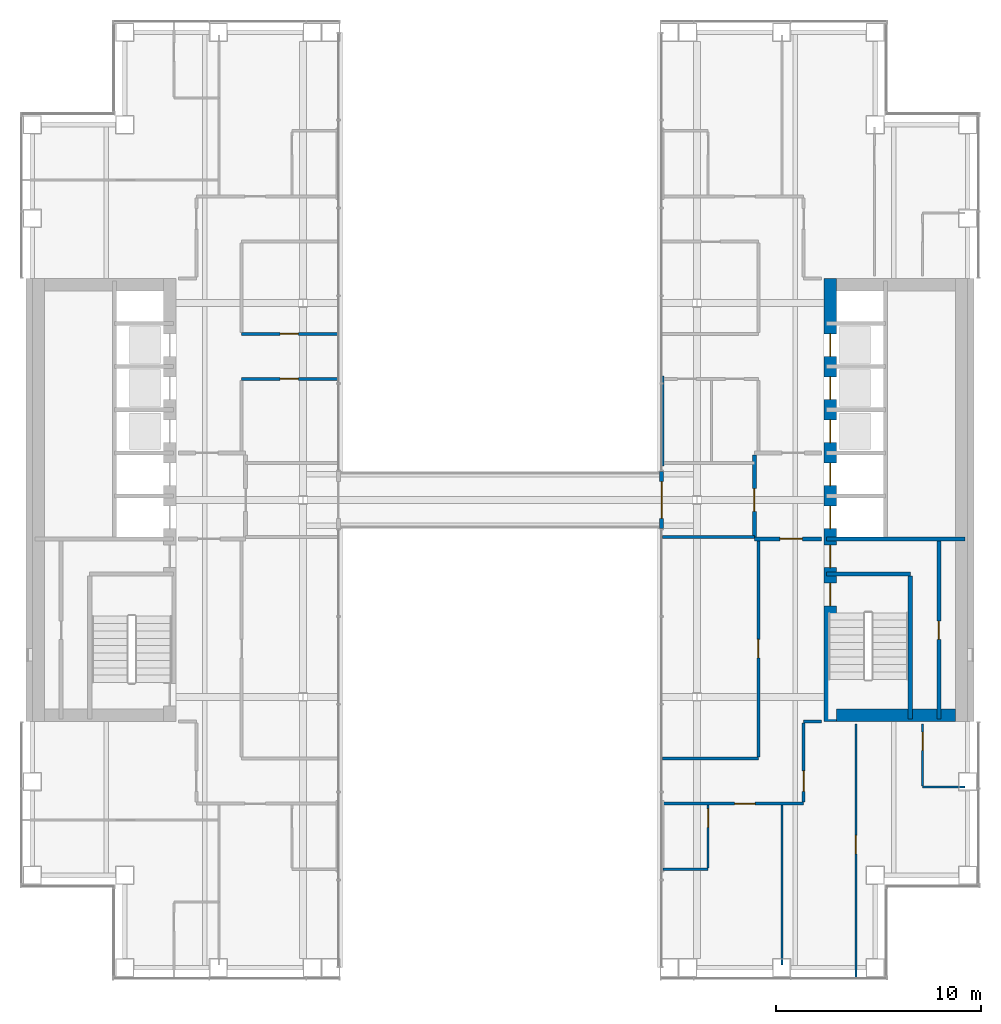
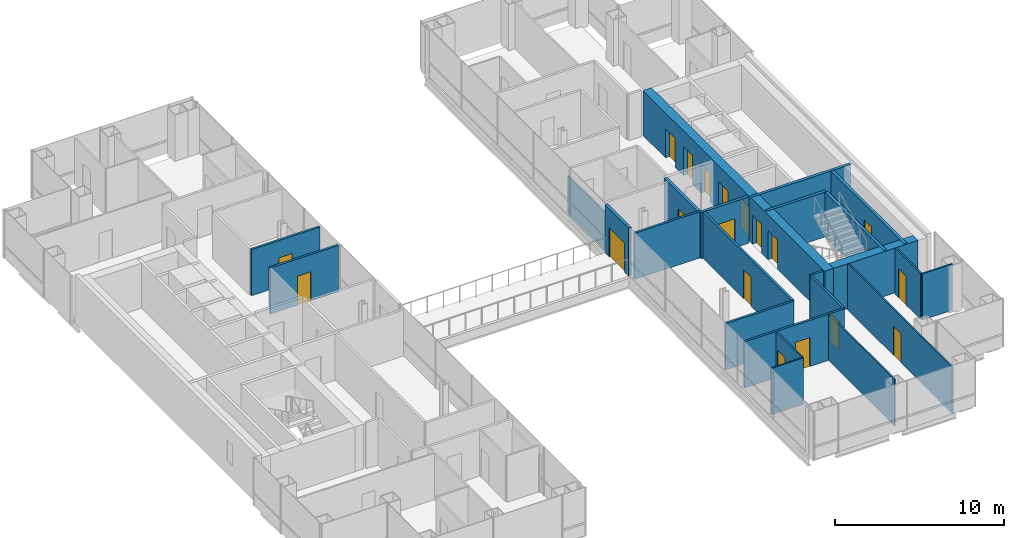
# One storey, part 12 of 16: 24 walls, 19 doors, 19 openings.
"""IFC4 building model written with IfcOpenShell, lengths in metres."""

from ifc_helpers import new_model, si_unit, direction, frame, frame_2d, origin, place, context, subcontext, project, spatial, rectangle, extrude, material, layer, layer_set, type_object, element, fill, save


model = new_model("IFC4")

# Units and contexts
model_context = context("Model", 3, precision=1e-05, world=origin(), true_north=direction((0.0, 1.0)))
body_context = subcontext(model_context, "Body", "Model", "MODEL_VIEW")
ifc_project = project(units=[si_unit("LENGTHUNIT", "METRE"), si_unit("AREAUNIT", "SQUARE_METRE"), si_unit("VOLUMEUNIT", "CUBIC_METRE"), si_unit("PLANEANGLEUNIT", "RADIAN"), si_unit("MASSUNIT", "GRAM", prefix="KILO")], contexts=[model_context])

# Site, building, storey
site_placement = place(None, origin())
site = spatial("IfcSite", under=ifc_project, at=site_placement, CompositionType="ELEMENT")
building_placement = place(site_placement, origin())
building = spatial("IfcBuilding", under=site, at=building_placement, Name="Cobrizo Arcos Hotel Tower", CompositionType="ELEMENT")
storey_placement = place(building_placement, frame((0.0, 0.0, 120.5)))
storey = spatial("IfcBuildingStorey", under=building, at=storey_placement, Name="L30", CompositionType="ELEMENT", Elevation=120.5)

# Wall, opening, door
ifc_material_1 = material(Name="Gypsum board partition")
ifc_layer_1 = layer(ifc_material_1, 0.14990234375)
ifc_layer_set_1 = layer_set([ifc_layer_1], Name="Corridor wall EI 60 150")
wall_type_1 = type_object("IfcWallType", Name="Corridor wall EI 60 150", PredefinedType="PARTITIONING", material=ifc_layer_set_1)
wall_1_placement = place(storey_placement, frame((7.949951171875, -14.800048828125, 0.0), z_axis=(0.0, 0.0, 1.0), x_axis=(1.0, 0.0, 0.0)))
wall_1 = element("IfcWall", 1, at=wall_1_placement, inside=storey, type_object=wall_type_1, Name="Partition 006", PredefinedType="PARTITIONING", context=body_context, shape_type="SweptSolid", body=[
    extrude(rectangle(XDim=6.85009765625, YDim=0.14990234375, at=frame_2d((3.425048828125, 0.0))), origin(), (0.0, 0.0, 1.0), 3.35009765625),
])
opening_1_placement = place(wall_1_placement, frame((3.487060546875, 0.0, 0.0)))
opening_1 = element("IfcOpeningElement", 2, at=opening_1_placement, cuts=wall_1, Name="Opening GD-03", PredefinedType="OPENING", context=body_context, shape_type="SweptSolid", body=[
    extrude(rectangle(XDim=1.0, YDim=2.10009765625, at=frame_2d((0.5, 1.050048828125))), frame((0.0, 0.0869140625, 0.0), z_axis=(0.0, -1.0, 0.0), x_axis=(1.0, 0.0, 0.0)), (0.0, 0.0, 1.0), 0.173828125),
])
ifc_material_2 = material(Name="Timber door leaf", Category="wood")
door_type_1 = type_object("IfcDoorType", Name="Guest room door FD30S 1000x2100", OperationType="SINGLE_SWING_LEFT", PredefinedType="DOOR", material=ifc_material_2)
door_1_placement = place(opening_1_placement, origin())
door_1 = element("IfcDoor", 3, at=door_1_placement, inside=storey, type_object=door_type_1, Name="Door GD-03", OperationType="SINGLE_SWING_RIGHT", OverallHeight=2.10009765625, OverallWidth=1.0, PredefinedType="DOOR", context=body_context, shape_type="SweptSolid", body=[
    extrude(rectangle(XDim=1.0, YDim=2.10009765625, at=frame_2d((0.5, 1.050048828125))), frame((0.0, 0.02490234375, 0.0), z_axis=(0.0, -1.0, 0.0), x_axis=(1.0, 0.0, 0.0)), (0.0, 0.0, 1.0), 0.050048828125),
])
fill(opening_1, door_1)

# Walls
wall_2_placement = place(storey_placement, frame((7.919921875, -12.60009765625, 0.0), z_axis=(0.0, 0.0, 1.0), x_axis=(1.0, 0.0, 0.0)))
element("IfcWall", 4, at=wall_2_placement, inside=storey, type_object=wall_type_1, Name="Partition 009", PredefinedType="PARTITIONING", context=body_context, shape_type="SweptSolid", body=[
    extrude(rectangle(XDim=4.68017578125, YDim=0.14990234375, at=frame_2d((2.340087890625, 0.0))), origin(), (0.0, 0.0, 1.0), 3.35009765625),
])
wall_3_placement = place(storey_placement, frame((14.800048828125, -10.800048828125, 0.0), z_axis=(0.0, 0.0, 1.0), x_axis=(1.0, 0.0, 0.0)))
element("IfcWall", 5, at=wall_3_placement, inside=storey, type_object=wall_type_1, Name="Partition 011", PredefinedType="PARTITIONING", context=body_context, shape_type="SweptSolid", body=[
    extrude(rectangle(XDim=0.8798828125, YDim=0.14990234375, at=frame_2d((0.43994140625, 0.0))), origin(), (0.0, 0.0, 1.0), 3.35009765625),
])
wall_4_placement = place(storey_placement, frame((7.919921875, -1.800048828125, 0.0), z_axis=(0.0, 0.0, 1.0), x_axis=(1.0, 0.0, 0.0)))
element("IfcWall", 6, at=wall_4_placement, inside=storey, type_object=wall_type_1, Name="Partition 019", PredefinedType="PARTITIONING", context=body_context, shape_type="SweptSolid", body=[
    extrude(rectangle(XDim=4.47998046875, YDim=0.14990234375, at=frame_2d((2.239990234375, 0.0))), origin(), (0.0, 0.0, 1.0), 3.35009765625),
])

# Wall, opening, door
wall_5_placement = place(storey_placement, frame((-12.60009765625, 5.89990234375, 0.0), z_axis=(0.0, 0.0, 1.0), x_axis=(1.0, 0.0, 0.0)))
wall_5 = element("IfcWall", 7, at=wall_5_placement, inside=storey, type_object=wall_type_1, Name="Partition 030", PredefinedType="PARTITIONING", context=body_context, shape_type="SweptSolid", body=[
    extrude(rectangle(XDim=4.68017578125, YDim=0.14990234375, at=frame_2d((2.340087890625, 0.0))), origin(), (0.0, 0.0, 1.0), 3.35009765625),
])
opening_2_placement = place(wall_5_placement, frame((1.875, 0.0, 0.0)))
opening_2 = element("IfcOpeningElement", 8, at=opening_2_placement, cuts=wall_5, Name="Opening RD-06", PredefinedType="OPENING", context=body_context, shape_type="SweptSolid", body=[
    extrude(rectangle(XDim=0.89990234375, YDim=2.10009765625, at=frame_2d((0.449951171875, 1.050048828125))), frame((0.0, 0.0869140625, 0.0), z_axis=(0.0, -1.0, 0.0), x_axis=(1.0, 0.0, 0.0)), (0.0, 0.0, 1.0), 0.173828125),
])
door_type_2 = type_object("IfcDoorType", Name="Room door FD30 900x2100", OperationType="SINGLE_SWING_LEFT", PredefinedType="DOOR", material=ifc_material_2)
door_2_placement = place(opening_2_placement, origin())
door_2 = element("IfcDoor", 9, at=door_2_placement, inside=storey, type_object=door_type_2, Name="Door RD-06", OperationType="SINGLE_SWING_LEFT", OverallHeight=2.10009765625, OverallWidth=0.89990234375, PredefinedType="DOOR", context=body_context, shape_type="SweptSolid", body=[
    extrude(rectangle(XDim=0.89990234375, YDim=2.10009765625, at=frame_2d((0.449951171875, 1.050048828125))), frame((0.0, 0.02490234375, 0.0), z_axis=(0.0, -1.0, 0.0), x_axis=(1.0, 0.0, 0.0)), (0.0, 0.0, 1.0), 0.050048828125),
])
fill(opening_2, door_2)

wall_6_placement = place(storey_placement, frame((-12.60009765625, 8.10009765625, 0.0), z_axis=(0.0, 0.0, 1.0), x_axis=(1.0, 0.0, 0.0)))
wall_6 = element("IfcWall", 10, at=wall_6_placement, inside=storey, type_object=wall_type_1, Name="Partition 034", PredefinedType="PARTITIONING", context=body_context, shape_type="SweptSolid", body=[
    extrude(rectangle(XDim=4.68017578125, YDim=0.14990234375, at=frame_2d((2.340087890625, 0.0))), origin(), (0.0, 0.0, 1.0), 3.35009765625),
])
opening_3_placement = place(wall_6_placement, frame((1.875, 0.0, 0.0)))
opening_3 = element("IfcOpeningElement", 11, at=opening_3_placement, cuts=wall_6, Name="Opening RD-08", PredefinedType="OPENING", context=body_context, shape_type="SweptSolid", body=[
    extrude(rectangle(XDim=0.89990234375, YDim=2.10009765625, at=frame_2d((0.449951171875, 1.050048828125))), frame((0.0, 0.0869140625, 0.0), z_axis=(0.0, -1.0, 0.0), x_axis=(1.0, 0.0, 0.0)), (0.0, 0.0, 1.0), 0.173828125),
])
door_3_placement = place(opening_3_placement, origin())
door_3 = element("IfcDoor", 12, at=door_3_placement, inside=storey, type_object=door_type_2, Name="Door RD-08", OperationType="SINGLE_SWING_RIGHT", OverallHeight=2.10009765625, OverallWidth=0.89990234375, PredefinedType="DOOR", context=body_context, shape_type="SweptSolid", body=[
    extrude(rectangle(XDim=0.89990234375, YDim=2.10009765625, at=frame_2d((0.449951171875, 1.050048828125))), frame((0.0, 0.02490234375, 0.0), z_axis=(0.0, -1.0, 0.0), x_axis=(1.0, 0.0, 0.0)), (0.0, 0.0, 1.0), 0.050048828125),
])
fill(opening_3, door_3)

wall_7_placement = place(storey_placement, frame((12.60009765625, -12.52490234375, 0.0), z_axis=(0.0, 0.0, 1.0), x_axis=(0.0, 1.0, 0.0)))
wall_7 = element("IfcWall", 13, at=wall_7_placement, inside=storey, type_object=wall_type_1, Name="Partition 073", PredefinedType="PARTITIONING", context=body_context, shape_type="SweptSolid", body=[
    extrude(rectangle(XDim=10.52490234375, YDim=0.14990234375, at=frame_2d((5.262451171875, 0.0))), origin(), (0.0, 0.0, 1.0), 3.35009765625),
])
opening_4_placement = place(wall_7_placement, frame((4.824951171875, 0.0, 0.0)))
opening_4 = element("IfcOpeningElement", 14, at=opening_4_placement, cuts=wall_7, Name="Opening RD-10", PredefinedType="OPENING", context=body_context, shape_type="SweptSolid", body=[
    extrude(rectangle(XDim=0.89990234375, YDim=2.10009765625, at=frame_2d((0.449951171875, 1.050048828125))), frame((0.0, 0.0869140625, 0.0), z_axis=(0.0, -1.0, 0.0), x_axis=(1.0, 0.0, 0.0)), (0.0, 0.0, 1.0), 0.173828125),
])
door_4_placement = place(opening_4_placement, origin())
door_4 = element("IfcDoor", 15, at=door_4_placement, inside=storey, type_object=door_type_2, Name="Door RD-10", OperationType="SINGLE_SWING_RIGHT", OverallHeight=2.10009765625, OverallWidth=0.89990234375, PredefinedType="DOOR", context=body_context, shape_type="SweptSolid", body=[
    extrude(rectangle(XDim=0.89990234375, YDim=2.10009765625, at=frame_2d((0.449951171875, 1.050048828125))), frame((0.0, 0.02490234375, 0.0), z_axis=(0.0, -1.0, 0.0), x_axis=(1.0, 0.0, 0.0)), (0.0, 0.0, 1.0), 0.050048828125),
])
fill(opening_4, door_4)

wall_8_placement = place(storey_placement, frame((14.800048828125, -14.72509765625, 0.0), z_axis=(0.0, 0.0, 1.0), x_axis=(0.0, 1.0, 0.0)))
wall_8 = element("IfcWall", 16, at=wall_8_placement, inside=storey, type_object=wall_type_1, Name="Partition 078", PredefinedType="PARTITIONING", context=body_context, shape_type="SweptSolid", body=[
    extrude(rectangle(XDim=3.85009765625, YDim=0.14990234375, at=frame_2d((1.925048828125, 0.0))), origin(), (0.0, 0.0, 1.0), 3.35009765625),
])
opening_5_placement = place(wall_8_placement, frame((0.52490234375, 0.0, 0.0)))
opening_5 = element("IfcOpeningElement", 17, at=opening_5_placement, cuts=wall_8, Name="Opening GD-07", PredefinedType="OPENING", context=body_context, shape_type="SweptSolid", body=[
    extrude(rectangle(XDim=1.0, YDim=2.10009765625, at=frame_2d((0.5, 1.050048828125))), frame((0.0, 0.0869140625, 0.0), z_axis=(0.0, -1.0, 0.0), x_axis=(1.0, 0.0, 0.0)), (0.0, 0.0, 1.0), 0.173828125),
])
door_5_placement = place(opening_5_placement, origin())
door_5 = element("IfcDoor", 18, at=door_5_placement, inside=storey, type_object=door_type_1, Name="Door GD-07", OperationType="SINGLE_SWING_LEFT", OverallHeight=2.10009765625, OverallWidth=1.0, PredefinedType="DOOR", context=body_context, shape_type="SweptSolid", body=[
    extrude(rectangle(XDim=1.0, YDim=2.10009765625, at=frame_2d((0.5, 1.050048828125))), frame((0.0, 0.02490234375, 0.0), z_axis=(0.0, -1.0, 0.0), x_axis=(1.0, 0.0, 0.0)), (0.0, 0.0, 1.0), 0.050048828125),
])
fill(opening_5, door_5)

ifc_material_3 = material(Name="Aluminium 6063-T6 anodised pale", Category="aluminium")
ifc_layer_2 = layer(ifc_material_3, 0.199951171875)
ifc_layer_set_2 = layer_set([ifc_layer_2], Name="EW-4 sky bridge door frame wall")
wall_type_2 = type_object("IfcWallType", Name="EW-4 sky bridge door frame wall", PredefinedType="SOLIDWALL", material=ifc_layer_set_2)
wall_9_placement = place(storey_placement, frame((7.875, -1.39990234375, 0.0), z_axis=(0.0, 0.0, 1.0), x_axis=(0.0, 1.0, 0.0)))
wall_9 = element("IfcWall", 19, at=wall_9_placement, inside=storey, type_object=wall_type_2, Name="Sky bridge door wall B E", PredefinedType="SOLIDWALL", context=body_context, shape_type="SweptSolid", body=[
    extrude(rectangle(XDim=2.7998046875, YDim=0.199951171875, at=frame_2d((1.39990234375, 0.0))), origin(), (0.0, 0.0, 1.0), 3.5),
])
opening_6_placement = place(wall_9_placement, frame((0.5, 0.0, 0.0)))
opening_6 = element("IfcOpeningElement", 20, at=opening_6_placement, cuts=wall_9, Name="Opening E-46", PredefinedType="OPENING", context=body_context, shape_type="SweptSolid", body=[
    extrude(rectangle(XDim=1.800048828125, YDim=2.10009765625, at=frame_2d((0.89990234375, 1.050048828125))), frame((0.0, 0.112060546875, 0.0), z_axis=(0.0, -1.0, 0.0), x_axis=(1.0, 0.0, 0.0)), (0.0, 0.0, 1.0), 0.223876953125),
])
ifc_material_4 = material(Name="Aluminium 6063-T6 and clear laminated glass", Category="aluminium")
door_type_3 = type_object("IfcDoorType", Name="D-B1 sky bridge double door 1800x2100", OperationType="DOUBLE_DOOR_DOUBLE_SWING", PredefinedType="DOOR", material=ifc_material_4)
door_6_placement = place(opening_6_placement, origin())
door_6 = element("IfcDoor", 21, at=door_6_placement, inside=storey, type_object=door_type_3, Name="Sky bridge door wall B E door E-46", OperationType="DOUBLE_DOOR_DOUBLE_SWING", OverallHeight=2.10009765625, OverallWidth=1.800048828125, PredefinedType="DOOR", context=body_context, shape_type="SweptSolid", body=[
    extrude(rectangle(XDim=1.800048828125, YDim=2.10009765625, at=frame_2d((0.89990234375, 1.050048828125))), frame((0.0, 0.02490234375, 0.0), z_axis=(0.0, -1.0, 0.0), x_axis=(1.0, 0.0, 0.0)), (0.0, 0.0, 1.0), 0.050048828125),
])
fill(opening_6, door_6)

# Walls
ifc_layer_3 = layer(ifc_material_1, 0.10009765625)
ifc_layer_set_3 = layer_set([ifc_layer_3], Name="Partition EI 30 100")
wall_type_3 = type_object("IfcWallType", Name="Partition EI 30 100", PredefinedType="PARTITIONING", material=ifc_layer_set_3)
wall_10_placement = place(storey_placement, frame((7.949951171875, -18.0, 0.0), z_axis=(0.0, 0.0, 1.0), x_axis=(1.0, 0.0, 0.0)))
element("IfcWall", 22, at=wall_10_placement, inside=storey, type_object=wall_type_3, Name="Partition 003", PredefinedType="PARTITIONING", context=body_context, shape_type="SweptSolid", body=[
    extrude(rectangle(XDim=2.199951171875, YDim=0.10009765625, at=frame_2d((1.10009765625, 0.0))), origin(), (0.0, 0.0, 1.0), 3.35009765625),
])
wall_11_placement = place(storey_placement, frame((20.60009765625, -14.0, 0.0), z_axis=(0.0, 0.0, 1.0), x_axis=(1.0, 0.0, 0.0)))
element("IfcWall", 23, at=wall_11_placement, inside=storey, type_object=wall_type_3, Name="Partition 007", PredefinedType="PARTITIONING", context=body_context, shape_type="SweptSolid", body=[
    extrude(rectangle(XDim=2.079833984375, YDim=0.10009765625, at=frame_2d((1.0400390625, 0.0))), origin(), (0.0, 0.0, 1.0), 3.35009765625),
])
wall_12_placement = place(storey_placement, frame((7.949951171875, 1.659912109375, 0.0), z_axis=(0.0, 0.0, 1.0), x_axis=(0.0, 1.0, 0.0)))
element("IfcWall", 24, at=wall_12_placement, inside=storey, type_object=wall_type_3, Name="Partition 067", PredefinedType="PARTITIONING", context=body_context, shape_type="SweptSolid", body=[
    extrude(rectangle(XDim=4.380126953125, YDim=0.10009765625, at=frame_2d((2.18994140625, 0.0))), origin(), (0.0, 0.0, 1.0), 2.73291015625),
])

# Wall, opening, door
wall_13_placement = place(storey_placement, frame((10.14990234375, -17.949951171875, 0.0), z_axis=(0.0, 0.0, 1.0), x_axis=(0.0, 1.0, 0.0)))
wall_13 = element("IfcWall", 25, at=wall_13_placement, inside=storey, type_object=wall_type_3, Name="Partition 069", PredefinedType="PARTITIONING", context=body_context, shape_type="SweptSolid", body=[
    extrude(rectangle(XDim=3.074951171875, YDim=0.10009765625, at=frame_2d((1.53759765625, 0.0))), origin(), (0.0, 0.0, 1.0), 3.35009765625),
])
opening_7_placement = place(wall_13_placement, frame((1.99609375, 0.0, 0.0)))
opening_7 = element("IfcOpeningElement", 26, at=opening_7_placement, cuts=wall_13, Name="Opening ED-04", PredefinedType="OPENING", context=body_context, shape_type="SweptSolid", body=[
    extrude(rectangle(XDim=0.89990234375, YDim=2.10009765625, at=frame_2d((0.449951171875, 1.050048828125))), frame((0.0, 0.06201171875, 0.0), z_axis=(0.0, -1.0, 0.0), x_axis=(1.0, 0.0, 0.0)), (0.0, 0.0, 1.0), 0.1240234375),
])
door_type_4 = type_object("IfcDoorType", Name="En-suite door 900x2100", OperationType="SINGLE_SWING_LEFT", PredefinedType="DOOR", material=ifc_material_2)
door_7_placement = place(opening_7_placement, origin())
door_7 = element("IfcDoor", 27, at=door_7_placement, inside=storey, type_object=door_type_4, Name="Door ED-04", OperationType="SINGLE_SWING_RIGHT", OverallHeight=2.10009765625, OverallWidth=0.89990234375, PredefinedType="DOOR", context=body_context, shape_type="SweptSolid", body=[
    extrude(rectangle(XDim=0.89990234375, YDim=2.10009765625, at=frame_2d((0.449951171875, 1.050048828125))), frame((0.0, 0.02490234375, 0.0), z_axis=(0.0, -1.0, 0.0), x_axis=(1.0, 0.0, 0.0)), (0.0, 0.0, 1.0), 0.050048828125),
])
fill(opening_7, door_7)

# Wall
wall_14_placement = place(storey_placement, frame((13.75, -22.679931640625, 0.0), z_axis=(0.0, 0.0, 1.0), x_axis=(0.0, 1.0, 0.0)))
element("IfcWall", 28, at=wall_14_placement, inside=storey, type_object=wall_type_3, Name="Partition 076", PredefinedType="PARTITIONING", context=body_context, shape_type="SweptSolid", body=[
    extrude(rectangle(XDim=7.804931640625, YDim=0.10009765625, at=frame_2d((3.90234375, 0.0))), origin(), (0.0, 0.0, 1.0), 3.35009765625),
])

# Wall, opening, door
wall_15_placement = place(storey_placement, frame((17.35009765625, -23.280029296875, 0.0), z_axis=(0.0, 0.0, 1.0), x_axis=(0.0, 1.0, 0.0)))
wall_15 = element("IfcWall", 29, at=wall_15_placement, inside=storey, type_object=wall_type_3, Name="Partition 080", PredefinedType="PARTITIONING", context=body_context, shape_type="SweptSolid", body=[
    extrude(rectangle(XDim=12.360107421875, YDim=0.10009765625, at=frame_2d((6.18017578125, 0.0))), origin(), (0.0, 0.0, 1.0), 3.35009765625),
])
opening_8_placement = place(wall_15_placement, frame((6.030029296875, 0.0, 0.0)))
opening_8 = element("IfcOpeningElement", 30, at=opening_8_placement, cuts=wall_15, Name="Opening RD-04", PredefinedType="OPENING", context=body_context, shape_type="SweptSolid", body=[
    extrude(rectangle(XDim=0.89990234375, YDim=2.10009765625, at=frame_2d((0.449951171875, 1.050048828125))), frame((0.0, 0.06201171875, 0.0), z_axis=(0.0, -1.0, 0.0), x_axis=(1.0, 0.0, 0.0)), (0.0, 0.0, 1.0), 0.1240234375),
])
door_8_placement = place(opening_8_placement, origin())
door_8 = element("IfcDoor", 31, at=door_8_placement, inside=storey, type_object=door_type_2, Name="Door RD-04", OperationType="SINGLE_SWING_RIGHT", OverallHeight=2.10009765625, OverallWidth=0.89990234375, PredefinedType="DOOR", context=body_context, shape_type="SweptSolid", body=[
    extrude(rectangle(XDim=0.89990234375, YDim=2.10009765625, at=frame_2d((0.449951171875, 1.050048828125))), frame((0.0, 0.02490234375, 0.0), z_axis=(0.0, -1.0, 0.0), x_axis=(1.0, 0.0, 0.0)), (0.0, 0.0, 1.0), 0.050048828125),
])
fill(opening_8, door_8)

wall_16_placement = place(storey_placement, frame((20.60009765625, -13.949951171875, 0.0), z_axis=(0.0, 0.0, 1.0), x_axis=(0.0, 1.0, 0.0)))
wall_16 = element("IfcWall", 32, at=wall_16_placement, inside=storey, type_object=wall_type_3, Name="Partition 084", PredefinedType="PARTITIONING", context=body_context, shape_type="SweptSolid", body=[
    extrude(rectangle(XDim=3.030029296875, YDim=0.10009765625, at=frame_2d((1.51513671875, 0.0))), origin(), (0.0, 0.0, 1.0), 3.35009765625),
])
opening_9_placement = place(wall_16_placement, frame((1.739990234375, 0.0, 0.0)))
opening_9 = element("IfcOpeningElement", 33, at=opening_9_placement, cuts=wall_16, Name="Opening ED-08", PredefinedType="OPENING", context=body_context, shape_type="SweptSolid", body=[
    extrude(rectangle(XDim=0.89990234375, YDim=2.10009765625, at=frame_2d((0.449951171875, 1.050048828125))), frame((0.0, 0.06201171875, 0.0), z_axis=(0.0, -1.0, 0.0), x_axis=(1.0, 0.0, 0.0)), (0.0, 0.0, 1.0), 0.1240234375),
])
door_9_placement = place(opening_9_placement, origin())
door_9 = element("IfcDoor", 34, at=door_9_placement, inside=storey, type_object=door_type_4, Name="Door ED-08", OperationType="SINGLE_SWING_LEFT", OverallHeight=2.10009765625, OverallWidth=0.89990234375, PredefinedType="DOOR", context=body_context, shape_type="SweptSolid", body=[
    extrude(rectangle(XDim=0.89990234375, YDim=2.10009765625, at=frame_2d((0.449951171875, 1.050048828125))), frame((0.0, 0.02490234375, 0.0), z_axis=(0.0, -1.0, 0.0), x_axis=(1.0, 0.0, 0.0)), (0.0, 0.0, 1.0), 0.050048828125),
])
fill(opening_9, door_9)

# Wall, openings, doors
ifc_material_5 = material(Name="Concrete f'c 50 MPa", Category="concrete")
ifc_layer_4 = layer(ifc_material_5, 0.60009765625)
ifc_layer_set_4 = layer_set([ifc_layer_4], Name="RC core wall 600 f'c 50")
wall_type_4 = type_object("IfcWallType", Name="RC core wall 600 f'c 50", PredefinedType="SHEAR", material=ifc_layer_set_4)
wall_17_placement = place(storey_placement, frame((16.10009765625, -10.800048828125, 0.0), z_axis=(0.0, 0.0, 1.0), x_axis=(0.0, 1.0, 0.0)))
wall_17 = element("IfcWall", 35, at=wall_17_placement, inside=storey, type_object=wall_type_4, Name="Core wall CW2, east core, inner face, L30", PredefinedType="SHEAR", context=body_context, shape_type="SweptSolid", body=[
    extrude(rectangle(XDim=21.60009765625, YDim=0.60009765625, at=frame_2d((10.800048828125, 0.0))), origin(), (0.0, 0.0, 1.0), 3.25),
])
opening_10_placement = place(wall_17_placement, frame((9.39990234375, 0.0, 0.0)))
opening_10 = element("IfcOpeningElement", 36, at=opening_10_placement, cuts=wall_17, Name="Opening LD-06", PredefinedType="OPENING", context=body_context, shape_type="SweptSolid", body=[
    extrude(rectangle(XDim=1.10009765625, YDim=2.10009765625, at=frame_2d((0.550048828125, 1.050048828125))), frame((0.0, 0.31201171875, 0.0), z_axis=(0.0, -1.0, 0.0), x_axis=(1.0, 0.0, 0.0)), (0.0, 0.0, 1.0), 0.6240234375),
])
opening_11_placement = place(wall_17_placement, frame((11.5, 0.0, 0.0)))
opening_11 = element("IfcOpeningElement", 37, at=opening_11_placement, cuts=wall_17, Name="Opening LD-07", PredefinedType="OPENING", context=body_context, shape_type="SweptSolid", body=[
    extrude(rectangle(XDim=1.10009765625, YDim=2.10009765625, at=frame_2d((0.550048828125, 1.050048828125))), frame((0.0, 0.31201171875, 0.0), z_axis=(0.0, -1.0, 0.0), x_axis=(1.0, 0.0, 0.0)), (0.0, 0.0, 1.0), 0.6240234375),
])
opening_12_placement = place(wall_17_placement, frame((13.60009765625, 0.0, 0.0)))
opening_12 = element("IfcOpeningElement", 38, at=opening_12_placement, cuts=wall_17, Name="Opening LD-08", PredefinedType="OPENING", context=body_context, shape_type="SweptSolid", body=[
    extrude(rectangle(XDim=1.10009765625, YDim=2.10009765625, at=frame_2d((0.550048828125, 1.050048828125))), frame((0.0, 0.31201171875, 0.0), z_axis=(0.0, -1.0, 0.0), x_axis=(1.0, 0.0, 0.0)), (0.0, 0.0, 1.0), 0.6240234375),
])
opening_13_placement = place(wall_17_placement, frame((15.699951171875, 0.0, 0.0)))
opening_13 = element("IfcOpeningElement", 39, at=opening_13_placement, cuts=wall_17, Name="Opening LD-09", PredefinedType="OPENING", context=body_context, shape_type="SweptSolid", body=[
    extrude(rectangle(XDim=1.10009765625, YDim=2.10009765625, at=frame_2d((0.550048828125, 1.050048828125))), frame((0.0, 0.31201171875, 0.0), z_axis=(0.0, -1.0, 0.0), x_axis=(1.0, 0.0, 0.0)), (0.0, 0.0, 1.0), 0.6240234375),
])
opening_14_placement = place(wall_17_placement, frame((17.800048828125, 0.0, 0.0)))
opening_14 = element("IfcOpeningElement", 40, at=opening_14_placement, cuts=wall_17, Name="Opening LD-10", PredefinedType="OPENING", context=body_context, shape_type="SweptSolid", body=[
    extrude(rectangle(XDim=1.10009765625, YDim=2.10009765625, at=frame_2d((0.550048828125, 1.050048828125))), frame((0.0, 0.31201171875, 0.0), z_axis=(0.0, -1.0, 0.0), x_axis=(1.0, 0.0, 0.0)), (0.0, 0.0, 1.0), 0.6240234375),
])
opening_15_placement = place(wall_17_placement, frame((5.64208984375, 0.0, 0.0)))
opening_15 = element("IfcOpeningElement", 41, at=opening_15_placement, cuts=wall_17, Name="Opening SD-02", PredefinedType="OPENING", context=body_context, shape_type="SweptSolid", body=[
    extrude(rectangle(XDim=1.10009765625, YDim=2.10009765625, at=frame_2d((0.550048828125, 1.050048828125))), frame((0.0, 0.31201171875, 0.0), z_axis=(0.0, -1.0, 0.0), x_axis=(1.0, 0.0, 0.0)), (0.0, 0.0, 1.0), 0.6240234375),
])
opening_16_placement = place(wall_17_placement, frame((7.5, 0.0, 0.0)))
opening_16 = element("IfcOpeningElement", 42, at=opening_16_placement, cuts=wall_17, Name="Opening FD-05", PredefinedType="OPENING", context=body_context, shape_type="SweptSolid", body=[
    extrude(rectangle(XDim=1.10009765625, YDim=2.10009765625, at=frame_2d((0.550048828125, 1.050048828125))), frame((0.0, 0.31201171875, 0.0), z_axis=(0.0, -1.0, 0.0), x_axis=(1.0, 0.0, 0.0)), (0.0, 0.0, 1.0), 0.6240234375),
])
ifc_material_6 = material(Name="Steel door leaf", Category="steel")
door_type_5 = type_object("IfcDoorType", Name="Fire door FD60 1100x2100", OperationType="SINGLE_SWING_LEFT", PredefinedType="DOOR", material=ifc_material_6)
door_10_placement = place(opening_16_placement, origin())
door_10 = element("IfcDoor", 43, at=door_10_placement, inside=storey, type_object=door_type_5, Name="Door FD-05", OperationType="SINGLE_SWING_RIGHT", OverallHeight=2.10009765625, OverallWidth=1.10009765625, PredefinedType="DOOR", context=body_context, shape_type="SweptSolid", body=[
    extrude(rectangle(XDim=1.10009765625, YDim=2.10009765625, at=frame_2d((0.550048828125, 1.050048828125))), frame((0.0, 0.02490234375, 0.0), z_axis=(0.0, -1.0, 0.0), x_axis=(1.0, 0.0, 0.0)), (0.0, 0.0, 1.0), 0.050048828125),
])
fill(opening_16, door_10)
door_type_6 = type_object("IfcDoorType", Name="Lift landing door 1100x2100", OperationType="SLIDING_TO_LEFT", PredefinedType="DOOR", material=ifc_material_6)
door_11_placement = place(opening_10_placement, origin())
door_11 = element("IfcDoor", 44, at=door_11_placement, inside=storey, type_object=door_type_6, Name="Lift landing door LD-06", OperationType="SLIDING_TO_LEFT", OverallHeight=2.10009765625, OverallWidth=1.10009765625, PredefinedType="DOOR", context=body_context, shape_type="SweptSolid", body=[
    extrude(rectangle(XDim=1.10009765625, YDim=2.10009765625, at=frame_2d((0.550048828125, 1.050048828125))), frame((0.0, 0.02490234375, 0.0), z_axis=(0.0, -1.0, 0.0), x_axis=(1.0, 0.0, 0.0)), (0.0, 0.0, 1.0), 0.050048828125),
])
fill(opening_10, door_11)
door_12_placement = place(opening_11_placement, origin())
door_12 = element("IfcDoor", 45, at=door_12_placement, inside=storey, type_object=door_type_6, Name="Lift landing door LD-07", OperationType="SLIDING_TO_LEFT", OverallHeight=2.10009765625, OverallWidth=1.10009765625, PredefinedType="DOOR", context=body_context, shape_type="SweptSolid", body=[
    extrude(rectangle(XDim=1.10009765625, YDim=2.10009765625, at=frame_2d((0.550048828125, 1.050048828125))), frame((0.0, 0.02490234375, 0.0), z_axis=(0.0, -1.0, 0.0), x_axis=(1.0, 0.0, 0.0)), (0.0, 0.0, 1.0), 0.050048828125),
])
fill(opening_11, door_12)
door_13_placement = place(opening_12_placement, origin())
door_13 = element("IfcDoor", 46, at=door_13_placement, inside=storey, type_object=door_type_6, Name="Lift landing door LD-08", OperationType="SLIDING_TO_LEFT", OverallHeight=2.10009765625, OverallWidth=1.10009765625, PredefinedType="DOOR", context=body_context, shape_type="SweptSolid", body=[
    extrude(rectangle(XDim=1.10009765625, YDim=2.10009765625, at=frame_2d((0.550048828125, 1.050048828125))), frame((0.0, 0.02490234375, 0.0), z_axis=(0.0, -1.0, 0.0), x_axis=(1.0, 0.0, 0.0)), (0.0, 0.0, 1.0), 0.050048828125),
])
fill(opening_12, door_13)
door_14_placement = place(opening_13_placement, origin())
door_14 = element("IfcDoor", 47, at=door_14_placement, inside=storey, type_object=door_type_6, Name="Lift landing door LD-09", OperationType="SLIDING_TO_LEFT", OverallHeight=2.10009765625, OverallWidth=1.10009765625, PredefinedType="DOOR", context=body_context, shape_type="SweptSolid", body=[
    extrude(rectangle(XDim=1.10009765625, YDim=2.10009765625, at=frame_2d((0.550048828125, 1.050048828125))), frame((0.0, 0.02490234375, 0.0), z_axis=(0.0, -1.0, 0.0), x_axis=(1.0, 0.0, 0.0)), (0.0, 0.0, 1.0), 0.050048828125),
])
fill(opening_13, door_14)
door_15_placement = place(opening_14_placement, origin())
door_15 = element("IfcDoor", 48, at=door_15_placement, inside=storey, type_object=door_type_6, Name="Lift landing door LD-10", OperationType="SLIDING_TO_LEFT", OverallHeight=2.10009765625, OverallWidth=1.10009765625, PredefinedType="DOOR", context=body_context, shape_type="SweptSolid", body=[
    extrude(rectangle(XDim=1.10009765625, YDim=2.10009765625, at=frame_2d((0.550048828125, 1.050048828125))), frame((0.0, 0.02490234375, 0.0), z_axis=(0.0, -1.0, 0.0), x_axis=(1.0, 0.0, 0.0)), (0.0, 0.0, 1.0), 0.050048828125),
])
fill(opening_14, door_15)
door_type_7 = type_object("IfcDoorType", Name="Stair door FD60S 1100x2100", OperationType="SINGLE_SWING_LEFT", PredefinedType="DOOR", material=ifc_material_6)
door_16_placement = place(opening_15_placement, origin())
door_16 = element("IfcDoor", 49, at=door_16_placement, inside=storey, type_object=door_type_7, Name="Door SD-02", OperationType="SINGLE_SWING_LEFT", OverallHeight=2.10009765625, OverallWidth=1.10009765625, PredefinedType="DOOR", context=body_context, shape_type="SweptSolid", body=[
    extrude(rectangle(XDim=1.10009765625, YDim=2.10009765625, at=frame_2d((0.550048828125, 1.050048828125))), frame((0.0, 0.02490234375, 0.0), z_axis=(0.0, -1.0, 0.0), x_axis=(1.0, 0.0, 0.0)), (0.0, 0.0, 1.0), 0.050048828125),
])
fill(opening_15, door_16)

# Wall
wall_18_placement = place(storey_placement, frame((16.39990234375, -10.5, 0.0), z_axis=(0.0, 0.0, 1.0), x_axis=(1.0, 0.0, 0.0)))
element("IfcWall", 50, at=wall_18_placement, inside=storey, type_object=wall_type_4, Name="Core wall CW2, east core, south end, L30", PredefinedType="SHEAR", context=body_context, shape_type="SweptSolid", body=[
    extrude(rectangle(XDim=5.800048828125, YDim=0.60009765625, at=frame_2d((2.89990234375, 0.0))), origin(), (0.0, 0.0, 1.0), 3.25),
])

# Wall, opening, door
ifc_layer_5 = layer(ifc_material_1, 0.199951171875)
ifc_layer_set_5 = layer_set([ifc_layer_5], Name="Shaft wall EI 120 200")
wall_type_5 = type_object("IfcWallType", Name="Shaft wall EI 120 200", PredefinedType="PARTITIONING", material=ifc_layer_set_5)
wall_19_placement = place(storey_placement, frame((12.39990234375, -1.89990234375, 0.0), z_axis=(0.0, 0.0, 1.0), x_axis=(1.0, 0.0, 0.0)))
wall_19 = element("IfcWall", 51, at=wall_19_placement, inside=storey, type_object=wall_type_5, Name="Partition 016", PredefinedType="PARTITIONING", context=body_context, shape_type="SweptSolid", body=[
    extrude(rectangle(XDim=3.280029296875, YDim=0.199951171875, at=frame_2d((1.64013671875, 0.0))), origin(), (0.0, 0.0, 1.0), 3.35009765625),
])
opening_17_placement = place(wall_19_placement, frame((1.239990234375, 0.0, 0.0)))
opening_17 = element("IfcOpeningElement", 52, at=opening_17_placement, cuts=wall_19, Name="Opening FD-07", PredefinedType="OPENING", context=body_context, shape_type="SweptSolid", body=[
    extrude(rectangle(XDim=1.10009765625, YDim=2.10009765625, at=frame_2d((0.550048828125, 1.050048828125))), frame((0.0, 0.112060546875, 0.0), z_axis=(0.0, -1.0, 0.0), x_axis=(1.0, 0.0, 0.0)), (0.0, 0.0, 1.0), 0.223876953125),
])
door_17_placement = place(opening_17_placement, origin())
door_17 = element("IfcDoor", 53, at=door_17_placement, inside=storey, type_object=door_type_5, Name="Door FD-07", OperationType="SINGLE_SWING_RIGHT", OverallHeight=2.10009765625, OverallWidth=1.10009765625, PredefinedType="DOOR", context=body_context, shape_type="SweptSolid", body=[
    extrude(rectangle(XDim=1.10009765625, YDim=2.10009765625, at=frame_2d((0.550048828125, 1.050048828125))), frame((0.0, 0.02490234375, 0.0), z_axis=(0.0, -1.0, 0.0), x_axis=(1.0, 0.0, 0.0)), (0.0, 0.0, 1.0), 0.050048828125),
])
fill(opening_17, door_17)

# Wall
wall_20_placement = place(storey_placement, frame((15.919921875, -1.89990234375, 0.0), z_axis=(0.0, 0.0, 1.0), x_axis=(1.0, 0.0, 0.0)))
element("IfcWall", 54, at=wall_20_placement, inside=storey, type_object=wall_type_5, Name="Partition 017", PredefinedType="PARTITIONING", context=body_context, shape_type="SweptSolid", body=[
    extrude(rectangle(XDim=6.760009765625, YDim=0.199951171875, at=frame_2d((3.3798828125, 0.0))), origin(), (0.0, 0.0, 1.0), 3.25),
])

# Wall, opening, door
wall_21_placement = place(storey_placement, frame((12.39990234375, -1.800048828125, 0.0), z_axis=(0.0, 0.0, 1.0), x_axis=(0.0, 1.0, 0.0)))
wall_21 = element("IfcWall", 55, at=wall_21_placement, inside=storey, type_object=wall_type_5, Name="Partition 072", PredefinedType="PARTITIONING", context=body_context, shape_type="SweptSolid", body=[
    extrude(rectangle(XDim=4.0, YDim=0.199951171875, at=frame_2d((2.0, 0.0))), origin(), (0.0, 0.0, 1.0), 3.35009765625),
])
opening_18_placement = place(wall_21_placement, frame((1.25, 0.0, 0.0)))
opening_18 = element("IfcOpeningElement", 56, at=opening_18_placement, cuts=wall_21, Name="Opening FD-06", PredefinedType="OPENING", context=body_context, shape_type="SweptSolid", body=[
    extrude(rectangle(XDim=1.10009765625, YDim=2.10009765625, at=frame_2d((0.550048828125, 1.050048828125))), frame((0.0, 0.112060546875, 0.0), z_axis=(0.0, -1.0, 0.0), x_axis=(1.0, 0.0, 0.0)), (0.0, 0.0, 1.0), 0.223876953125),
])
door_18_placement = place(opening_18_placement, origin())
door_18 = element("IfcDoor", 57, at=door_18_placement, inside=storey, type_object=door_type_5, Name="Door FD-06", OperationType="SINGLE_SWING_RIGHT", OverallHeight=2.10009765625, OverallWidth=1.10009765625, PredefinedType="DOOR", context=body_context, shape_type="SweptSolid", body=[
    extrude(rectangle(XDim=1.10009765625, YDim=2.10009765625, at=frame_2d((0.550048828125, 1.050048828125))), frame((0.0, 0.02490234375, 0.0), z_axis=(0.0, -1.0, 0.0), x_axis=(1.0, 0.0, 0.0)), (0.0, 0.0, 1.0), 0.050048828125),
])
fill(opening_18, door_18)

wall_22_placement = place(storey_placement, frame((21.39990234375, -10.679931640625, 0.0), z_axis=(0.0, 0.0, 1.0), x_axis=(0.0, 1.0, 0.0)))
wall_22 = element("IfcWall", 58, at=wall_22_placement, inside=storey, type_object=wall_type_5, Name="Partition 086", PredefinedType="PARTITIONING", context=body_context, shape_type="SweptSolid", body=[
    extrude(rectangle(XDim=8.679931640625, YDim=0.199951171875, at=frame_2d((4.33984375, 0.0))), origin(), (0.0, 0.0, 1.0), 3.25),
])
opening_19_placement = place(wall_22_placement, frame((3.8798828125, 0.0, 0.0)))
opening_19 = element("IfcOpeningElement", 59, at=opening_19_placement, cuts=wall_22, Name="Opening RD-01", PredefinedType="OPENING", context=body_context, shape_type="SweptSolid", body=[
    extrude(rectangle(XDim=0.89990234375, YDim=2.10009765625, at=frame_2d((0.449951171875, 1.050048828125))), frame((0.0, 0.112060546875, 0.0), z_axis=(0.0, -1.0, 0.0), x_axis=(1.0, 0.0, 0.0)), (0.0, 0.0, 1.0), 0.223876953125),
])
door_19_placement = place(opening_19_placement, origin())
door_19 = element("IfcDoor", 60, at=door_19_placement, inside=storey, type_object=door_type_2, Name="Door RD-01", OperationType="SINGLE_SWING_RIGHT", OverallHeight=2.10009765625, OverallWidth=0.89990234375, PredefinedType="DOOR", context=body_context, shape_type="SweptSolid", body=[
    extrude(rectangle(XDim=0.89990234375, YDim=2.10009765625, at=frame_2d((0.449951171875, 1.050048828125))), frame((0.0, 0.02490234375, 0.0), z_axis=(0.0, -1.0, 0.0), x_axis=(1.0, 0.0, 0.0)), (0.0, 0.0, 1.0), 0.050048828125),
])
fill(opening_19, door_19)

# Walls
ifc_material_7 = material(Name="Concrete f'c 40 MPa", Category="concrete")
ifc_layer_6 = layer(ifc_material_7, 0.199951171875)
ifc_layer_set_6 = layer_set([ifc_layer_6], Name="Stair shaft wall 200")
wall_type_6 = type_object("IfcWallType", Name="Stair shaft wall 200", PredefinedType="SHEAR", material=ifc_layer_set_6)
wall_23_placement = place(storey_placement, frame((15.919921875, -3.60009765625, 0.0), z_axis=(0.0, 0.0, 1.0), x_axis=(1.0, 0.0, 0.0)))
element("IfcWall", 61, at=wall_23_placement, inside=storey, type_object=wall_type_6, Name="Stair shaft wall E", PredefinedType="SHEAR", context=body_context, shape_type="SweptSolid", body=[
    extrude(rectangle(XDim=4.080078125, YDim=0.199951171875, at=frame_2d((2.0400390625, 0.0))), origin(), (0.0, 0.0, 1.0), 3.25),
])
wall_24_placement = place(storey_placement, frame((20.0, -10.679931640625, 0.0), z_axis=(0.0, 0.0, 1.0), x_axis=(0.0, 1.0, 0.0)))
element("IfcWall", 62, at=wall_24_placement, inside=storey, type_object=wall_type_6, Name="Stair shaft wall E", PredefinedType="SHEAR", context=body_context, shape_type="SweptSolid", body=[
    extrude(rectangle(XDim=6.97998046875, YDim=0.199951171875, at=frame_2d((3.489990234375, 0.0))), origin(), (0.0, 0.0, 1.0), 3.25),
])

save(model, "model.ifc")
